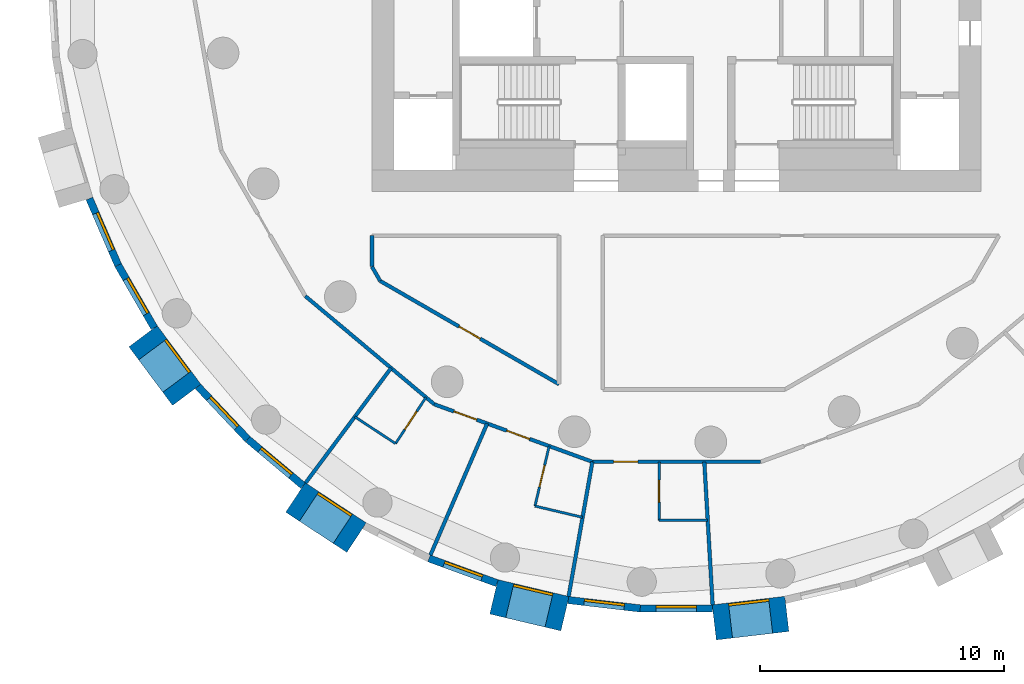
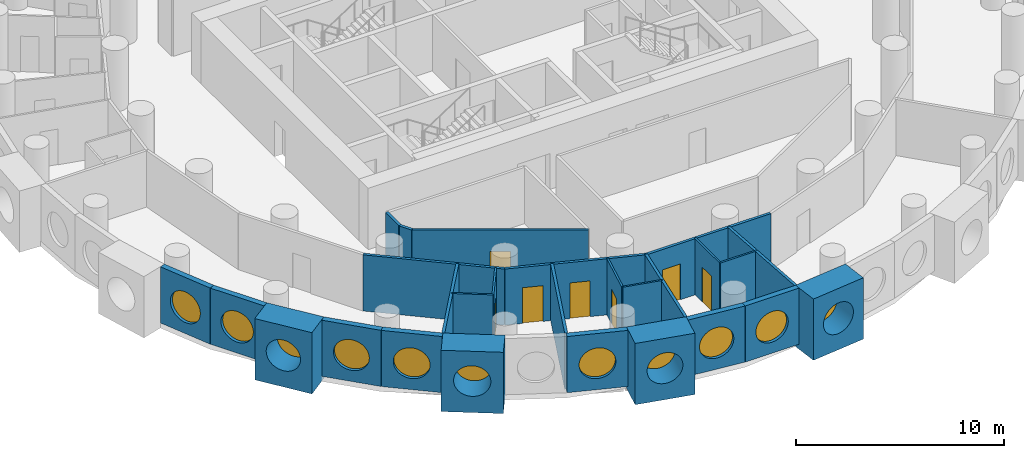
# One storey, part 2 of 9: 27 walls, 11 windows, 7 doors, 18 openings.
"""IFC4 building model written with IfcOpenShell, lengths in metres."""

from ifc_helpers import new_model, si_unit, direction, frame, frame_2d, origin, origin_2d, place, context, subcontext, project, spatial, rectangle, circle, extrude, material, layer, layer_set, type_object, element, fill, save


model = new_model("IFC4")

# Units and contexts
model_context = context("Model", 3, precision=1e-05, world=origin(), true_north=direction((0.0, 1.0)))
body_context = subcontext(model_context, "Body", "Model", "MODEL_VIEW")
ifc_project = project(units=[si_unit("LENGTHUNIT", "METRE"), si_unit("AREAUNIT", "SQUARE_METRE"), si_unit("VOLUMEUNIT", "CUBIC_METRE"), si_unit("PLANEANGLEUNIT", "RADIAN"), si_unit("MASSUNIT", "GRAM", prefix="KILO")], contexts=[model_context])

# Site, building, storey
site_placement = place(None, origin())
site = spatial("IfcSite", under=ifc_project, at=site_placement, CompositionType="ELEMENT")
building_placement = place(site_placement, origin())
building = spatial("IfcBuilding", under=site, at=building_placement, Name="Tracery Tower", CompositionType="ELEMENT")
storey_placement = place(building_placement, frame((0.0, 0.0, 180.0)))
storey = spatial("IfcBuildingStorey", under=building, at=storey_placement, Name="L46", CompositionType="ELEMENT", Elevation=180.0)

# Wall, opening, window
ifc_material_1 = material(Name="Precast concrete C50/60", Category="concrete")
ifc_layer_1 = layer(ifc_material_1, 1.449951171875)
ifc_layer_set_1 = layer_set([ifc_layer_1], Name="Deep-set bay unit 3000 x 3600, slab edge 300")
wall_type_1 = type_object("IfcWallType", Name="Deep-set bay unit 3000 x 3600, slab edge 300", PredefinedType="ELEMENTEDWALL", material=ifc_layer_set_1)
wall_1_placement = place(storey_placement, frame((-21.89453125, -14.429931640625, -0.300048828125), z_axis=(0.0, 0.0, 1.0), x_axis=(0.597183717734, -0.802104486506, 0.0)))
wall_1 = element("IfcWall", 1, at=wall_1_placement, inside=storey, type_object=wall_type_1, Name="Deep-set bay unit 33 at L46", PredefinedType="ELEMENTEDWALL", context=body_context, shape_type="SweptSolid", body=[
    extrude(rectangle(XDim=3.0, YDim=1.449951171875, at=frame_2d((1.5, 0.0))), origin(), (0.0, 0.0, 1.0), 3.60009765625),
])
opening_1_placement = place(wall_1_placement, frame((1.5, 0.0, 1.85009765625)))
opening_1 = element("IfcOpeningElement", 2, at=opening_1_placement, cuts=wall_1, Name="Opening WN1", PredefinedType="OPENING", context=body_context, shape_type="SweptSolid", body=[
    extrude(circle(Radius=0.9000244140625, at=origin_2d()), frame((0.0, 0.73486328125, 0.0), z_axis=(0.0, -1.0, 0.0), x_axis=(1.0, 0.0, 0.0)), (0.0, 0.0, 1.0), 1.469970703125),
])
ifc_material_2 = material(Name="Aluminium frame with tinted double glazing", Category="aluminium")
window_type = type_object("IfcWindowType", Name="Round window 1800", PartitioningType="SINGLE_PANEL", PredefinedType="WINDOW", material=ifc_material_2)
window_1_placement = place(opening_1_placement, origin())
window_1 = element("IfcWindow", 3, at=window_1_placement, inside=storey, type_object=window_type, Name="Round window 33 at L46", OverallHeight=1.800048828125, OverallWidth=1.800048828125, PartitioningType="SINGLE_PANEL", PredefinedType="WINDOW", context=body_context, shape_type="SweptSolid", body=[
    extrude(circle(Radius=0.9000244140625, at=origin_2d()), frame((0.0, 0.69482421875, 0.0), z_axis=(0.0, -1.0, 0.0), x_axis=(1.0, 0.0, 0.0)), (0.0, 0.0, 1.0), 0.10009765625),
])
fill(opening_1, window_1)

wall_2_placement = place(storey_placement, frame((-15.638916015625, -21.048095703125, -0.300048828125), z_axis=(0.0, 0.0, 1.0), x_axis=(0.835514416706, -0.549468524554, 0.0)))
wall_2 = element("IfcWall", 4, at=wall_2_placement, inside=storey, type_object=wall_type_1, Name="Deep-set bay unit 36 at L46", PredefinedType="ELEMENTEDWALL", context=body_context, shape_type="SweptSolid", body=[
    extrude(rectangle(XDim=3.0, YDim=1.449951171875, at=frame_2d((1.5, 0.0))), origin(), (0.0, 0.0, 1.0), 3.60009765625),
])
opening_2_placement = place(wall_2_placement, frame((1.5, 0.0, 1.85009765625)))
opening_2 = element("IfcOpeningElement", 5, at=opening_2_placement, cuts=wall_2, Name="Opening WN1", PredefinedType="OPENING", context=body_context, shape_type="SweptSolid", body=[
    extrude(circle(Radius=0.9000244140625, at=origin_2d()), frame((0.0, 0.73486328125, 0.0), z_axis=(0.0, -1.0, 0.0), x_axis=(1.0, 0.0, 0.0)), (0.0, 0.0, 1.0), 1.469970703125),
])
window_2_placement = place(opening_2_placement, origin())
window_2 = element("IfcWindow", 6, at=window_2_placement, inside=storey, type_object=window_type, Name="Round window 36 at L46", OverallHeight=1.800048828125, OverallWidth=1.800048828125, PartitioningType="SINGLE_PANEL", PredefinedType="WINDOW", context=body_context, shape_type="SweptSolid", body=[
    extrude(circle(Radius=0.9000244140625, at=origin_2d()), frame((0.0, 0.69482421875, 0.0), z_axis=(0.0, -1.0, 0.0), x_axis=(1.0, 0.0, 0.0)), (0.0, 0.0, 1.0), 0.10009765625),
])
fill(opening_2, window_2)

wall_3_placement = place(storey_placement, frame((-7.496826171875, -25.12744140625, -0.300048828125), z_axis=(0.0, 0.0, 1.0), x_axis=(0.973042333261, -0.23062657627, 0.0)))
wall_3 = element("IfcWall", 7, at=wall_3_placement, inside=storey, type_object=wall_type_1, Name="Deep-set bay unit 39 at L46", PredefinedType="ELEMENTEDWALL", context=body_context, shape_type="SweptSolid", body=[
    extrude(rectangle(XDim=3.0, YDim=1.449951171875, at=frame_2d((1.5, 0.0))), origin(), (0.0, 0.0, 1.0), 3.60009765625),
])
opening_3_placement = place(wall_3_placement, frame((1.5, 0.0, 1.85009765625)))
opening_3 = element("IfcOpeningElement", 8, at=opening_3_placement, cuts=wall_3, Name="Opening WN1", PredefinedType="OPENING", context=body_context, shape_type="SweptSolid", body=[
    extrude(circle(Radius=0.9000244140625, at=origin_2d()), frame((0.0, 0.73486328125, 0.0), z_axis=(0.0, -1.0, 0.0), x_axis=(1.0, 0.0, 0.0)), (0.0, 0.0, 1.0), 1.469970703125),
])
window_3_placement = place(opening_3_placement, origin())
window_3 = element("IfcWindow", 9, at=window_3_placement, inside=storey, type_object=window_type, Name="Round window 39 at L46", OverallHeight=1.800048828125, OverallWidth=1.800048828125, PartitioningType="SINGLE_PANEL", PredefinedType="WINDOW", context=body_context, shape_type="SweptSolid", body=[
    extrude(circle(Radius=0.9000244140625, at=origin_2d()), frame((0.0, 0.69482421875, 0.0), z_axis=(0.0, -1.0, 0.0), x_axis=(1.0, 0.0, 0.0)), (0.0, 0.0, 1.0), 0.10009765625),
])
fill(opening_3, window_3)

wall_4_placement = place(storey_placement, frame((1.54931640625, -26.17626953125, -0.300048828125), z_axis=(0.0, 0.0, 1.0), x_axis=(0.9932342274, 0.116128246006, 0.0)))
wall_4 = element("IfcWall", 10, at=wall_4_placement, inside=storey, type_object=wall_type_1, Name="Deep-set bay unit 42 at L46", PredefinedType="ELEMENTEDWALL", context=body_context, shape_type="SweptSolid", body=[
    extrude(rectangle(XDim=3.0, YDim=1.449951171875, at=frame_2d((1.5, 0.0))), origin(), (0.0, 0.0, 1.0), 3.60009765625),
])
opening_4_placement = place(wall_4_placement, frame((1.5, 0.0, 1.85009765625)))
opening_4 = element("IfcOpeningElement", 11, at=opening_4_placement, cuts=wall_4, Name="Opening WN1", PredefinedType="OPENING", context=body_context, shape_type="SweptSolid", body=[
    extrude(circle(Radius=0.9000244140625, at=origin_2d()), frame((0.0, 0.73486328125, 0.0), z_axis=(0.0, -1.0, 0.0), x_axis=(1.0, 0.0, 0.0)), (0.0, 0.0, 1.0), 1.469970703125),
])
window_4_placement = place(opening_4_placement, origin())
window_4 = element("IfcWindow", 12, at=window_4_placement, inside=storey, type_object=window_type, Name="Round window 42 at L46", OverallHeight=1.800048828125, OverallWidth=1.800048828125, PartitioningType="SINGLE_PANEL", PredefinedType="WINDOW", context=body_context, shape_type="SweptSolid", body=[
    extrude(circle(Radius=0.9000244140625, at=origin_2d()), frame((0.0, 0.69482421875, 0.0), z_axis=(0.0, -1.0, 0.0), x_axis=(1.0, 0.0, 0.0)), (0.0, 0.0, 1.0), 0.10009765625),
])
fill(opening_4, window_4)

ifc_material_3 = material(Name="Precast concrete C50/60", Category="concrete")
ifc_layer_2 = layer(ifc_material_3, 0.300048828125)
ifc_layer_set_2 = layer_set([ifc_layer_2], Name="Facade panel 3000 x 3300")
wall_type_2 = type_object("IfcWallType", Name="Facade panel 3000 x 3300", PredefinedType="SOLIDWALL", material=ifc_layer_set_2)
wall_5_placement = place(storey_placement, frame((-24.096923828125, -8.78076171875, 0.0), z_axis=(0.0, 0.0, 1.0), x_axis=(0.396078892785, -0.918216483565, 0.0)))
wall_5 = element("IfcWall", 13, at=wall_5_placement, inside=storey, type_object=wall_type_2, Name="Facade panel 31 at L46", PredefinedType="SOLIDWALL", context=body_context, shape_type="SweptSolid", body=[
    extrude(rectangle(XDim=2.972900390625, YDim=0.300048828125, at=frame_2d((1.486328125, 0.0))), origin(), (0.0, 0.0, 1.0), 3.300048828125),
])
opening_5_placement = place(wall_5_placement, frame((1.486328125, 0.0, 1.5498046875)))
opening_5 = element("IfcOpeningElement", 14, at=opening_5_placement, cuts=wall_5, Name="Opening WN1", PredefinedType="OPENING", context=body_context, shape_type="SweptSolid", body=[
    extrude(circle(Radius=0.9000244140625, at=origin_2d()), frame((0.0, 0.159912109375, 0.0), z_axis=(0.0, -1.0, 0.0), x_axis=(1.0, 0.0, 0.0)), (0.0, 0.0, 1.0), 0.320068359375),
])
window_5_placement = place(opening_5_placement, origin())
window_5 = element("IfcWindow", 15, at=window_5_placement, inside=storey, type_object=window_type, Name="Round window 31 at L46", OverallHeight=1.800048828125, OverallWidth=1.800048828125, PartitioningType="SINGLE_PANEL", PredefinedType="WINDOW", context=body_context, shape_type="SweptSolid", body=[
    extrude(circle(Radius=0.9000244140625, at=origin_2d()), frame((0.0, 0.1201171875, 0.0), z_axis=(0.0, -1.0, 0.0), x_axis=(1.0, 0.0, 0.0)), (0.0, 0.0, 1.0), 0.10009765625),
])
fill(opening_5, window_5)

wall_6_placement = place(storey_placement, frame((-22.91943359375, -11.510498046875, 0.0), z_axis=(0.0, 0.0, 1.0), x_axis=(0.500016263033, -0.866016014115, 0.0)))
wall_6 = element("IfcWall", 16, at=wall_6_placement, inside=storey, type_object=wall_type_2, Name="Facade panel 32 at L46", PredefinedType="SOLIDWALL", context=body_context, shape_type="SweptSolid", body=[
    extrude(rectangle(XDim=2.97314453125, YDim=0.300048828125, at=frame_2d((1.486572265625, 0.0))), origin(), (0.0, 0.0, 1.0), 3.300048828125),
])
opening_6_placement = place(wall_6_placement, frame((1.486328125, 0.0, 1.5498046875)))
opening_6 = element("IfcOpeningElement", 17, at=opening_6_placement, cuts=wall_6, Name="Opening WN1", PredefinedType="OPENING", context=body_context, shape_type="SweptSolid", body=[
    extrude(circle(Radius=0.9000244140625, at=origin_2d()), frame((0.0, 0.159912109375, 0.0), z_axis=(0.0, -1.0, 0.0), x_axis=(1.0, 0.0, 0.0)), (0.0, 0.0, 1.0), 0.320068359375),
])
window_6_placement = place(opening_6_placement, origin())
window_6 = element("IfcWindow", 18, at=window_6_placement, inside=storey, type_object=window_type, Name="Round window 32 at L46", OverallHeight=1.800048828125, OverallWidth=1.800048828125, PartitioningType="SINGLE_PANEL", PredefinedType="WINDOW", context=body_context, shape_type="SweptSolid", body=[
    extrude(circle(Radius=0.9000244140625, at=origin_2d()), frame((0.0, 0.1201171875, 0.0), z_axis=(0.0, -1.0, 0.0), x_axis=(1.0, 0.0, 0.0)), (0.0, 0.0, 1.0), 0.10009765625),
])
fill(opening_6, window_6)

wall_7_placement = place(storey_placement, frame((-19.640380859375, -16.492919921875, 0.0), z_axis=(0.0, 0.0, 1.0), x_axis=(0.686235184166, -0.727379730273, 0.0)))
wall_7 = element("IfcWall", 19, at=wall_7_placement, inside=storey, type_object=wall_type_2, Name="Facade panel 34 at L46", PredefinedType="SOLIDWALL", context=body_context, shape_type="SweptSolid", body=[
    extrude(rectangle(XDim=2.972900390625, YDim=0.300048828125, at=frame_2d((1.486328125, 0.0))), origin(), (0.0, 0.0, 1.0), 3.300048828125),
])
opening_7_placement = place(wall_7_placement, frame((1.486328125, 0.0, 1.5498046875)))
opening_7 = element("IfcOpeningElement", 20, at=opening_7_placement, cuts=wall_7, Name="Opening WN1", PredefinedType="OPENING", context=body_context, shape_type="SweptSolid", body=[
    extrude(circle(Radius=0.9000244140625, at=origin_2d()), frame((0.0, 0.159912109375, 0.0), z_axis=(0.0, -1.0, 0.0), x_axis=(1.0, 0.0, 0.0)), (0.0, 0.0, 1.0), 0.320068359375),
])
window_7_placement = place(opening_7_placement, origin())
window_7 = element("IfcWindow", 21, at=window_7_placement, inside=storey, type_object=window_type, Name="Round window 34 at L46", OverallHeight=1.800048828125, OverallWidth=1.800048828125, PartitioningType="SINGLE_PANEL", PredefinedType="WINDOW", context=body_context, shape_type="SweptSolid", body=[
    extrude(circle(Radius=0.9000244140625, at=origin_2d()), frame((0.0, 0.1201171875, 0.0), z_axis=(0.0, -1.0, 0.0), x_axis=(1.0, 0.0, 0.0)), (0.0, 0.0, 1.0), 0.10009765625),
])
fill(opening_7, window_7)

wall_8_placement = place(storey_placement, frame((-17.600341796875, -18.6552734375, 0.0), z_axis=(0.0, 0.0, 1.0), x_axis=(0.766049350637, -0.642781761089, 0.0)))
wall_8 = element("IfcWall", 22, at=wall_8_placement, inside=storey, type_object=wall_type_2, Name="Facade panel 35 at L46", PredefinedType="SOLIDWALL", context=body_context, shape_type="SweptSolid", body=[
    extrude(rectangle(XDim=2.972900390625, YDim=0.300048828125, at=frame_2d((1.486328125, 0.0))), origin(), (0.0, 0.0, 1.0), 3.300048828125),
])
opening_8_placement = place(wall_8_placement, frame((1.486328125, 0.0, 1.5498046875)))
opening_8 = element("IfcOpeningElement", 23, at=opening_8_placement, cuts=wall_8, Name="Opening WN1", PredefinedType="OPENING", context=body_context, shape_type="SweptSolid", body=[
    extrude(circle(Radius=0.9000244140625, at=origin_2d()), frame((0.0, 0.159912109375, 0.0), z_axis=(0.0, -1.0, 0.0), x_axis=(1.0, 0.0, 0.0)), (0.0, 0.0, 1.0), 0.320068359375),
])
window_8_placement = place(opening_8_placement, origin())
window_8 = element("IfcWindow", 24, at=window_8_placement, inside=storey, type_object=window_type, Name="Round window 35 at L46", OverallHeight=1.800048828125, OverallWidth=1.800048828125, PartitioningType="SINGLE_PANEL", PredefinedType="WINDOW", context=body_context, shape_type="SweptSolid", body=[
    extrude(circle(Radius=0.9000244140625, at=origin_2d()), frame((0.0, 0.1201171875, 0.0), z_axis=(0.0, -1.0, 0.0), x_axis=(1.0, 0.0, 0.0)), (0.0, 0.0, 1.0), 0.10009765625),
])
fill(opening_8, window_8)

wall_9_placement = place(storey_placement, frame((-10.158447265625, -23.5498046875, 0.0), z_axis=(0.0, 0.0, 1.0), x_axis=(0.939690282133, -0.342026568652, 0.0)))
wall_9 = element("IfcWall", 25, at=wall_9_placement, inside=storey, type_object=wall_type_2, Name="Facade panel 38 at L46", PredefinedType="SOLIDWALL", context=body_context, shape_type="SweptSolid", body=[
    extrude(rectangle(XDim=2.972900390625, YDim=0.300048828125, at=frame_2d((1.486328125, 0.0))), origin(), (0.0, 0.0, 1.0), 3.300048828125),
])
opening_9_placement = place(wall_9_placement, frame((1.486328125, 0.0, 1.5498046875)))
opening_9 = element("IfcOpeningElement", 26, at=opening_9_placement, cuts=wall_9, Name="Opening WN1", PredefinedType="OPENING", context=body_context, shape_type="SweptSolid", body=[
    extrude(circle(Radius=0.9000244140625, at=origin_2d()), frame((0.0, 0.159912109375, 0.0), z_axis=(0.0, -1.0, 0.0), x_axis=(1.0, 0.0, 0.0)), (0.0, 0.0, 1.0), 0.320068359375),
])
window_9_placement = place(opening_9_placement, origin())
window_9 = element("IfcWindow", 27, at=window_9_placement, inside=storey, type_object=window_type, Name="Round window 38 at L46", OverallHeight=1.800048828125, OverallWidth=1.800048828125, PartitioningType="SINGLE_PANEL", PredefinedType="WINDOW", context=body_context, shape_type="SweptSolid", body=[
    extrude(circle(Radius=0.9000244140625, at=origin_2d()), frame((0.0, 0.1201171875, 0.0), z_axis=(0.0, -1.0, 0.0), x_axis=(1.0, 0.0, 0.0)), (0.0, 0.0, 1.0), 0.10009765625),
])
fill(opening_9, window_9)

wall_10_placement = place(storey_placement, frame((-4.444091796875, -25.259033203125, 0.0), z_axis=(0.0, 0.0, 1.0), x_axis=(0.993245010522, -0.1160359818, 0.0)))
wall_10 = element("IfcWall", 28, at=wall_10_placement, inside=storey, type_object=wall_type_2, Name="Facade panel 40 at L46", PredefinedType="SOLIDWALL", context=body_context, shape_type="SweptSolid", body=[
    extrude(rectangle(XDim=2.972900390625, YDim=0.300048828125, at=frame_2d((1.486328125, 0.0))), origin(), (0.0, 0.0, 1.0), 3.300048828125),
])
opening_10_placement = place(wall_10_placement, frame((1.486328125, 0.0, 1.5498046875)))
opening_10 = element("IfcOpeningElement", 29, at=opening_10_placement, cuts=wall_10, Name="Opening WN1", PredefinedType="OPENING", context=body_context, shape_type="SweptSolid", body=[
    extrude(circle(Radius=0.9000244140625, at=origin_2d()), frame((0.0, 0.159912109375, 0.0), z_axis=(0.0, -1.0, 0.0), x_axis=(1.0, 0.0, 0.0)), (0.0, 0.0, 1.0), 0.320068359375),
])
window_10_placement = place(opening_10_placement, origin())
window_10 = element("IfcWindow", 30, at=window_10_placement, inside=storey, type_object=window_type, Name="Round window 40 at L46", OverallHeight=1.800048828125, OverallWidth=1.800048828125, PartitioningType="SINGLE_PANEL", PredefinedType="WINDOW", context=body_context, shape_type="SweptSolid", body=[
    extrude(circle(Radius=0.9000244140625, at=origin_2d()), frame((0.0, 0.1201171875, 0.0), z_axis=(0.0, -1.0, 0.0), x_axis=(1.0, 0.0, 0.0)), (0.0, 0.0, 1.0), 0.10009765625),
])
fill(opening_10, window_10)

wall_11_placement = place(storey_placement, frame((-1.4912109375, -25.60400390625, 0.0), z_axis=(0.0, 0.0, 1.0), x_axis=(1.0, 0.0, 0.0)))
wall_11 = element("IfcWall", 31, at=wall_11_placement, inside=storey, type_object=wall_type_2, Name="Facade panel 41 at L46", PredefinedType="SOLIDWALL", context=body_context, shape_type="SweptSolid", body=[
    extrude(rectangle(XDim=2.972900390625, YDim=0.300048828125, at=frame_2d((1.486328125, 0.0))), origin(), (0.0, 0.0, 1.0), 3.300048828125),
])
opening_11_placement = place(wall_11_placement, frame((1.486328125, 0.0, 1.5498046875)))
opening_11 = element("IfcOpeningElement", 32, at=opening_11_placement, cuts=wall_11, Name="Opening WN1", PredefinedType="OPENING", context=body_context, shape_type="SweptSolid", body=[
    extrude(circle(Radius=0.9000244140625, at=origin_2d()), frame((0.0, 0.159912109375, 0.0), z_axis=(0.0, -1.0, 0.0), x_axis=(1.0, 0.0, 0.0)), (0.0, 0.0, 1.0), 0.320068359375),
])
window_11_placement = place(opening_11_placement, origin())
window_11 = element("IfcWindow", 33, at=window_11_placement, inside=storey, type_object=window_type, Name="Round window 41 at L46", OverallHeight=1.800048828125, OverallWidth=1.800048828125, PartitioningType="SINGLE_PANEL", PredefinedType="WINDOW", context=body_context, shape_type="SweptSolid", body=[
    extrude(circle(Radius=0.9000244140625, at=origin_2d()), frame((0.0, 0.1201171875, 0.0), z_axis=(0.0, -1.0, 0.0), x_axis=(1.0, 0.0, 0.0)), (0.0, 0.0, 1.0), 0.10009765625),
])
fill(opening_11, window_11)

# Wall
ifc_material_4 = material(Name="Plasterboard on steel studs", Category="steel")
ifc_layer_3 = layer(ifc_material_4, 0.10009765625)
ifc_layer_set_3 = layer_set([ifc_layer_3], Name="Partition 100 wet wall")
wall_type_3 = type_object("IfcWallType", Name="Partition 100 wet wall", PredefinedType="PARTITIONING", material=ifc_layer_set_3)
wall_12_placement = place(storey_placement, frame((-13.2041015625, -17.736083984375, 0.0), z_axis=(0.0, 0.0, 1.0), x_axis=(0.835392041163, -0.549654562032, 0.0)))
element("IfcWall", 34, at=wall_12_placement, inside=storey, type_object=wall_type_3, Name="Wet wall RB6-058", PredefinedType="PARTITIONING", context=body_context, shape_type="SweptSolid", body=[
    extrude(rectangle(XDim=2.002685546875, YDim=0.10009765625, at=frame_2d((1.00146484375, 0.0))), origin(), (0.0, 0.0, 1.0), 3.300048828125),
])

# Wall, opening, door
wall_13_placement = place(storey_placement, frame((-11.531005859375, -18.8369140625, 0.0), z_axis=(0.0, 0.0, 1.0), x_axis=(0.549730960803, 0.83534176882, 0.0)))
wall_13 = element("IfcWall", 35, at=wall_13_placement, inside=storey, type_object=wall_type_3, Name="Wet wall RB6-059", PredefinedType="PARTITIONING", context=body_context, shape_type="SweptSolid", body=[
    extrude(rectangle(XDim=2.27197265625, YDim=0.10009765625, at=frame_2d((1.135986328125, 0.0))), origin(), (0.0, 0.0, 1.0), 3.300048828125),
])
opening_12_placement = place(wall_13_placement, frame((0.68603515625, 0.0, 0.0)))
opening_12 = element("IfcOpeningElement", 36, at=opening_12_placement, cuts=wall_13, Name="Opening RB6-18", PredefinedType="OPENING", context=body_context, shape_type="SweptSolid", body=[
    extrude(rectangle(XDim=0.89990234375, YDim=2.0400390625, at=frame_2d((0.449951171875, 1.02001953125))), frame((0.0, 0.050048828125, 0.0), z_axis=(0.0, -1.0, 0.0), x_axis=(1.0, 0.0, 0.0)), (0.0, 0.0, 1.0), 0.10009765625),
])
ifc_material_5 = material(Name="Timber door leaf", Category="wood")
door_type_1 = type_object("IfcDoorType", Name="Door en-suite 900", OperationType="NOTDEFINED", PredefinedType="DOOR", material=ifc_material_5)
door_1_placement = place(opening_12_placement, origin())
door_1 = element("IfcDoor", 37, at=door_1_placement, inside=storey, type_object=door_type_1, Name="En-suite door RB6-18", OperationType="SINGLE_SWING_LEFT", OverallHeight=2.0400390625, OverallWidth=0.89990234375, PredefinedType="DOOR", context=body_context, shape_type="SweptSolid", body=[
    extrude(rectangle(XDim=0.89990234375, YDim=2.0400390625, at=frame_2d((0.449951171875, 1.02001953125))), frame((0.0, 0.02490234375, 0.0), z_axis=(0.0, -1.0, 0.0), x_axis=(1.0, 0.0, 0.0)), (0.0, 0.0, 1.0), 0.050048828125),
])
fill(opening_12, door_1)

wall_14_placement = place(storey_placement, frame((-5.80908203125, -21.40087890625, 0.0), z_axis=(0.0, 0.0, 1.0), x_axis=(0.230524114202, 0.97306661271, 0.0)))
wall_14 = element("IfcWall", 38, at=wall_14_placement, inside=storey, type_object=wall_type_3, Name="Wet wall RB6-061", PredefinedType="PARTITIONING", context=body_context, shape_type="SweptSolid", body=[
    extrude(rectangle(XDim=2.529052734375, YDim=0.10009765625, at=frame_2d((1.2646484375, 0.0))), origin(), (0.0, 0.0, 1.0), 3.300048828125),
])
opening_13_placement = place(wall_14_placement, frame((0.814208984375, 0.0, 0.0)))
opening_13 = element("IfcOpeningElement", 39, at=opening_13_placement, cuts=wall_14, Name="Opening RB6-20", PredefinedType="OPENING", context=body_context, shape_type="SweptSolid", body=[
    extrude(rectangle(XDim=0.89990234375, YDim=2.0400390625, at=frame_2d((0.449951171875, 1.02001953125))), frame((0.0, 0.050048828125, 0.0), z_axis=(0.0, -1.0, 0.0), x_axis=(1.0, 0.0, 0.0)), (0.0, 0.0, 1.0), 0.10009765625),
])
door_2_placement = place(opening_13_placement, origin())
door_2 = element("IfcDoor", 40, at=door_2_placement, inside=storey, type_object=door_type_1, Name="En-suite door RB6-20", OperationType="SINGLE_SWING_RIGHT", OverallHeight=2.0400390625, OverallWidth=0.89990234375, PredefinedType="DOOR", context=body_context, shape_type="SweptSolid", body=[
    extrude(rectangle(XDim=0.89990234375, YDim=2.0400390625, at=frame_2d((0.449951171875, 1.02001953125))), frame((0.0, 0.02490234375, 0.0), z_axis=(0.0, -1.0, 0.0), x_axis=(1.0, 0.0, 0.0)), (0.0, 0.0, 1.0), 0.050048828125),
])
fill(opening_13, door_2)

# Wall
wall_15_placement = place(storey_placement, frame((-5.80908203125, -21.40087890625, 0.0), z_axis=(0.0, 0.0, 1.0), x_axis=(0.973044402656, -0.230617845057, 0.0)))
element("IfcWall", 41, at=wall_15_placement, inside=storey, type_object=wall_type_3, Name="Wet wall RB6-062", PredefinedType="PARTITIONING", context=body_context, shape_type="SweptSolid", body=[
    extrude(rectangle(XDim=2.00830078125, YDim=0.10009765625, at=frame_2d((1.004150390625, 0.0))), origin(), (0.0, 0.0, 1.0), 3.300048828125),
])

# Wall, opening, door
wall_16_placement = place(storey_placement, frame((-0.717041015625, -21.986083984375, 0.0), z_axis=(0.0, 0.0, 1.0), x_axis=(0.0, 1.0, 0.0)))
wall_16 = element("IfcWall", 42, at=wall_16_placement, inside=storey, type_object=wall_type_3, Name="Wet wall RB6-064", PredefinedType="PARTITIONING", context=body_context, shape_type="SweptSolid", body=[
    extrude(rectangle(XDim=2.400146484375, YDim=0.10009765625, at=frame_2d((1.2001953125, 0.0))), origin(), (0.0, 0.0, 1.0), 3.300048828125),
])
opening_14_placement = place(wall_16_placement, frame((0.75, 0.0, 0.0)))
opening_14 = element("IfcOpeningElement", 43, at=opening_14_placement, cuts=wall_16, Name="Opening RB6-22", PredefinedType="OPENING", context=body_context, shape_type="SweptSolid", body=[
    extrude(rectangle(XDim=0.89990234375, YDim=2.0400390625, at=frame_2d((0.449951171875, 1.02001953125))), frame((0.0, 0.050048828125, 0.0), z_axis=(0.0, -1.0, 0.0), x_axis=(1.0, 0.0, 0.0)), (0.0, 0.0, 1.0), 0.10009765625),
])
door_3_placement = place(opening_14_placement, origin())
door_3 = element("IfcDoor", 44, at=door_3_placement, inside=storey, type_object=door_type_1, Name="En-suite door RB6-22", OperationType="SINGLE_SWING_LEFT", OverallHeight=2.0400390625, OverallWidth=0.89990234375, PredefinedType="DOOR", context=body_context, shape_type="SweptSolid", body=[
    extrude(rectangle(XDim=0.89990234375, YDim=2.0400390625, at=frame_2d((0.449951171875, 1.02001953125))), frame((0.0, 0.02490234375, 0.0), z_axis=(0.0, -1.0, 0.0), x_axis=(1.0, 0.0, 0.0)), (0.0, 0.0, 1.0), 0.050048828125),
])
fill(opening_14, door_3)

# Walls
wall_17_placement = place(storey_placement, frame((-0.717041015625, -21.986083984375, 0.0), z_axis=(0.0, 0.0, 1.0), x_axis=(1.0, 0.0, 0.0)))
element("IfcWall", 45, at=wall_17_placement, inside=storey, type_object=wall_type_3, Name="Wet wall RB6-065", PredefinedType="PARTITIONING", context=body_context, shape_type="SweptSolid", body=[
    extrude(rectangle(XDim=1.998046875, YDim=0.10009765625, at=frame_2d((0.9990234375, 0.0))), origin(), (0.0, 0.0, 1.0), 3.300048828125),
])
ifc_material_6 = material(Name="Plasterboard on steel studs", Category="steel")
ifc_layer_4 = layer(ifc_material_6, 0.14990234375)
ifc_layer_set_4 = layer_set([ifc_layer_4], Name="Partition 150 acoustic unit wall")
wall_type_4 = type_object("IfcWallType", Name="Partition 150 acoustic unit wall", PredefinedType="PARTITIONING", material=ifc_layer_set_4)
wall_18_placement = place(storey_placement, frame((-15.22607421875, -20.451904296875, 0.0), z_axis=(0.0, 0.0, 1.0), x_axis=(0.597131981171, 0.802143002876, 0.0)))
element("IfcWall", 46, at=wall_18_placement, inside=storey, type_object=wall_type_4, Name="Unit wall RB6-057", PredefinedType="PARTITIONING", context=body_context, shape_type="SweptSolid", body=[
    extrude(rectangle(XDim=5.878173828125, YDim=0.14990234375, at=frame_2d((2.93896484375, 0.0))), origin(), (0.0, 0.0, 1.0), 3.300048828125),
])
wall_19_placement = place(storey_placement, frame((-10.09912109375, -23.412109375, 0.0), z_axis=(0.0, 0.0, 1.0), x_axis=(0.39601833725, 0.918242602236, 0.0)))
element("IfcWall", 47, at=wall_19_placement, inside=storey, type_object=wall_type_4, Name="Unit wall RB6-060", PredefinedType="PARTITIONING", context=body_context, shape_type="SweptSolid", body=[
    extrude(rectangle(XDim=5.87890625, YDim=0.14990234375, at=frame_2d((2.939453125, 0.0))), origin(), (0.0, 0.0, 1.0), 3.300048828125),
])
wall_20_placement = place(storey_placement, frame((-4.427978515625, -25.110107421875, 0.0), z_axis=(0.0, 0.0, 1.0), x_axis=(0.17382754149, 0.984776109489, 0.0)))
element("IfcWall", 48, at=wall_20_placement, inside=storey, type_object=wall_type_4, Name="Unit wall RB6-063", PredefinedType="PARTITIONING", context=body_context, shape_type="SweptSolid", body=[
    extrude(rectangle(XDim=5.609619140625, YDim=0.14990234375, at=frame_2d((2.8046875, 0.0))), origin(), (0.0, 0.0, 1.0), 3.300048828125),
])
wall_21_placement = place(storey_placement, frame((1.14111328125, -19.5859375, 0.0), z_axis=(0.0, 0.0, 1.0), x_axis=(0.058147412668, -0.998308007781, 0.0)))
element("IfcWall", 49, at=wall_21_placement, inside=storey, type_object=wall_type_4, Name="Unit wall RB6-066", PredefinedType="PARTITIONING", context=body_context, shape_type="SweptSolid", body=[
    extrude(rectangle(XDim=5.878173828125, YDim=0.14990234375, at=frame_2d((2.93896484375, 0.0))), origin(), (0.0, 0.0, 1.0), 3.300048828125),
])
ifc_material_7 = material(Name="Plasterboard on steel studs", Category="steel")
ifc_layer_5 = layer(ifc_material_7, 0.14990234375)
ifc_layer_set_5 = layer_set([ifc_layer_5], Name="Partition 150 corridor wall")
wall_type_5 = type_object("IfcWallType", Name="Partition 150 corridor wall", PredefinedType="PARTITIONING", material=ifc_layer_set_5)
wall_22_placement = place(storey_placement, frame((-12.5, -11.576904296875, 0.0), z_axis=(0.0, 0.0, 1.0), x_axis=(0.0, 1.0, 0.0)))
element("IfcWall", 50, at=wall_22_placement, inside=storey, type_object=wall_type_5, Name="Corridor wall RB6-024", PredefinedType="PARTITIONING", context=body_context, shape_type="SweptSolid", body=[
    extrude(rectangle(XDim=1.27685546875, YDim=0.14990234375, at=frame_2d((0.638427734375, 0.0))), origin(), (0.0, 0.0, 1.0), 3.300048828125),
])
wall_23_placement = place(storey_placement, frame((-12.5, -11.576904296875, 0.0), z_axis=(0.0, 0.0, 1.0), x_axis=(0.500024767483, -0.866011103799, 0.0)))
element("IfcWall", 51, at=wall_23_placement, inside=storey, type_object=wall_type_5, Name="Corridor wall RB6-025", PredefinedType="PARTITIONING", context=body_context, shape_type="SweptSolid", body=[
    extrude(rectangle(XDim=0.67578125, YDim=0.14990234375, at=frame_2d((0.337890625, 0.0))), origin(), (0.0, 0.0, 1.0), 3.300048828125),
])
wall_24_placement = place(storey_placement, frame((-15.235107421875, -12.783935546875, 0.0), z_axis=(0.0, 0.0, 1.0), x_axis=(0.766192104565, -0.642611592567, 0.0)))
element("IfcWall", 52, at=wall_24_placement, inside=storey, type_object=wall_type_5, Name="Corridor wall RB6-028", PredefinedType="PARTITIONING", context=body_context, shape_type="SweptSolid", body=[
    extrude(rectangle(XDim=6.906494140625, YDim=0.14990234375, at=frame_2d((3.453125, 0.0))), origin(), (0.0, 0.0, 1.0), 3.300048828125),
])

# Wall, opening, door
wall_25_placement = place(storey_placement, frame((-12.162109375, -12.162109375, 0.0), z_axis=(0.0, 0.0, 1.0), x_axis=(0.866004766557, -0.500035743023, 0.0)))
wall_25 = element("IfcWall", 53, at=wall_25_placement, inside=storey, type_object=wall_type_5, Name="Corridor wall RB6-031", PredefinedType="PARTITIONING", context=body_context, shape_type="SweptSolid", body=[
    extrude(rectangle(XDim=8.47705078125, YDim=0.14990234375, at=frame_2d((4.238525390625, 0.0))), origin(), (0.0, 0.0, 1.0), 3.300048828125),
])
opening_15_placement = place(wall_25_placement, frame((3.738037109375, 0.0, 0.0)))
opening_15 = element("IfcOpeningElement", 54, at=opening_15_placement, cuts=wall_25, Name="Opening RB6-03", PredefinedType="OPENING", context=body_context, shape_type="SweptSolid", body=[
    extrude(rectangle(XDim=1.0, YDim=2.0400390625, at=frame_2d((0.5, 1.02001953125))), frame((0.0, 0.074951171875, 0.0), z_axis=(0.0, -1.0, 0.0), x_axis=(1.0, 0.0, 0.0)), (0.0, 0.0, 1.0), 0.14990234375),
])
ifc_material_8 = material(Name="Timber door leaf", Category="wood")
door_type_2 = type_object("IfcDoorType", Name="Door communal room 1000", OperationType="NOTDEFINED", PredefinedType="DOOR", material=ifc_material_8)
door_4_placement = place(opening_15_placement, origin())
door_4 = element("IfcDoor", 55, at=door_4_placement, inside=storey, type_object=door_type_2, Name="Communal room door RB6-03", OperationType="SINGLE_SWING_LEFT", OverallHeight=2.0400390625, OverallWidth=1.0, PredefinedType="DOOR", context=body_context, shape_type="SweptSolid", body=[
    extrude(rectangle(XDim=1.0, YDim=2.0400390625, at=frame_2d((0.5, 1.02001953125))), frame((0.0, 0.02490234375, 0.0), z_axis=(0.0, -1.0, 0.0), x_axis=(1.0, 0.0, 0.0)), (0.0, 0.0, 1.0), 0.050048828125),
])
fill(opening_15, door_4)

# Wall, openings, doors
wall_26_placement = place(storey_placement, frame((-9.944091796875, -17.222900390625, 0.0), z_axis=(0.0, 0.0, 1.0), x_axis=(0.939737689664, -0.341896292208, 0.0)))
wall_26 = element("IfcWall", 56, at=wall_26_placement, inside=storey, type_object=wall_type_5, Name="Corridor wall RB6-036", PredefinedType="PARTITIONING", context=body_context, shape_type="SweptSolid", body=[
    extrude(rectangle(XDim=6.907958984375, YDim=0.14990234375, at=frame_2d((3.4541015625, 0.0))), origin(), (0.0, 0.0, 1.0), 3.300048828125),
])
opening_16_placement = place(wall_26_placement, frame((0.858642578125, 0.0, 0.0)))
opening_16 = element("IfcOpeningElement", 57, at=opening_16_placement, cuts=wall_26, Name="Opening RB6-19", PredefinedType="OPENING", context=body_context, shape_type="SweptSolid", body=[
    extrude(rectangle(XDim=1.0, YDim=2.10009765625, at=frame_2d((0.5, 1.050048828125))), frame((0.0, 0.074951171875, 0.0), z_axis=(0.0, -1.0, 0.0), x_axis=(1.0, 0.0, 0.0)), (0.0, 0.0, 1.0), 0.14990234375),
])
opening_17_placement = place(wall_26_placement, frame((3.167236328125, 0.0, 0.0)))
opening_17 = element("IfcOpeningElement", 58, at=opening_17_placement, cuts=wall_26, Name="Opening RB6-21", PredefinedType="OPENING", context=body_context, shape_type="SweptSolid", body=[
    extrude(rectangle(XDim=1.0, YDim=2.10009765625, at=frame_2d((0.5, 1.050048828125))), frame((0.0, 0.074951171875, 0.0), z_axis=(0.0, -1.0, 0.0), x_axis=(1.0, 0.0, 0.0)), (0.0, 0.0, 1.0), 0.14990234375),
])
ifc_material_9 = material(Name="Timber door leaf", Category="wood")
door_type_3 = type_object("IfcDoorType", Name="Door unit entrance 1000", OperationType="NOTDEFINED", PredefinedType="DOOR", material=ifc_material_9)
door_5_placement = place(opening_16_placement, origin())
door_5 = element("IfcDoor", 59, at=door_5_placement, inside=storey, type_object=door_type_3, Name="Unit entrance door RB6-19", OperationType="SINGLE_SWING_LEFT", OverallHeight=2.10009765625, OverallWidth=1.0, PredefinedType="DOOR", context=body_context, shape_type="SweptSolid", body=[
    extrude(rectangle(XDim=1.0, YDim=2.10009765625, at=frame_2d((0.5, 1.050048828125))), frame((0.0, 0.02490234375, 0.0), z_axis=(0.0, -1.0, 0.0), x_axis=(1.0, 0.0, 0.0)), (0.0, 0.0, 1.0), 0.050048828125),
])
fill(opening_16, door_5)
door_6_placement = place(opening_17_placement, origin())
door_6 = element("IfcDoor", 60, at=door_6_placement, inside=storey, type_object=door_type_3, Name="Unit entrance door RB6-21", OperationType="SINGLE_SWING_LEFT", OverallHeight=2.10009765625, OverallWidth=1.0, PredefinedType="DOOR", context=body_context, shape_type="SweptSolid", body=[
    extrude(rectangle(XDim=1.0, YDim=2.10009765625, at=frame_2d((0.5, 1.050048828125))), frame((0.0, 0.02490234375, 0.0), z_axis=(0.0, -1.0, 0.0), x_axis=(1.0, 0.0, 0.0)), (0.0, 0.0, 1.0), 0.050048828125),
])
fill(opening_17, door_6)

# Wall, opening, door
wall_27_placement = place(storey_placement, frame((-3.452880859375, -19.5859375, 0.0), z_axis=(0.0, 0.0, 1.0), x_axis=(1.0, 0.0, 0.0)))
wall_27 = element("IfcWall", 61, at=wall_27_placement, inside=storey, type_object=wall_type_5, Name="Corridor wall RB6-037", PredefinedType="PARTITIONING", context=body_context, shape_type="SweptSolid", body=[
    extrude(rectangle(XDim=6.90576171875, YDim=0.14990234375, at=frame_2d((3.452880859375, 0.0))), origin(), (0.0, 0.0, 1.0), 3.300048828125),
])
opening_18_placement = place(wall_27_placement, frame((0.8701171875, 0.0, 0.0)))
opening_18 = element("IfcOpeningElement", 62, at=opening_18_placement, cuts=wall_27, Name="Opening RB6-23", PredefinedType="OPENING", context=body_context, shape_type="SweptSolid", body=[
    extrude(rectangle(XDim=1.0, YDim=2.10009765625, at=frame_2d((0.5, 1.050048828125))), frame((0.0, 0.074951171875, 0.0), z_axis=(0.0, -1.0, 0.0), x_axis=(1.0, 0.0, 0.0)), (0.0, 0.0, 1.0), 0.14990234375),
])
door_7_placement = place(opening_18_placement, origin())
door_7 = element("IfcDoor", 63, at=door_7_placement, inside=storey, type_object=door_type_3, Name="Unit entrance door RB6-23", OperationType="SINGLE_SWING_RIGHT", OverallHeight=2.10009765625, OverallWidth=1.0, PredefinedType="DOOR", context=body_context, shape_type="SweptSolid", body=[
    extrude(rectangle(XDim=1.0, YDim=2.10009765625, at=frame_2d((0.5, 1.050048828125))), frame((0.0, 0.02490234375, 0.0), z_axis=(0.0, -1.0, 0.0), x_axis=(1.0, 0.0, 0.0)), (0.0, 0.0, 1.0), 0.050048828125),
])
fill(opening_18, door_7)

save(model, "model.ifc")
